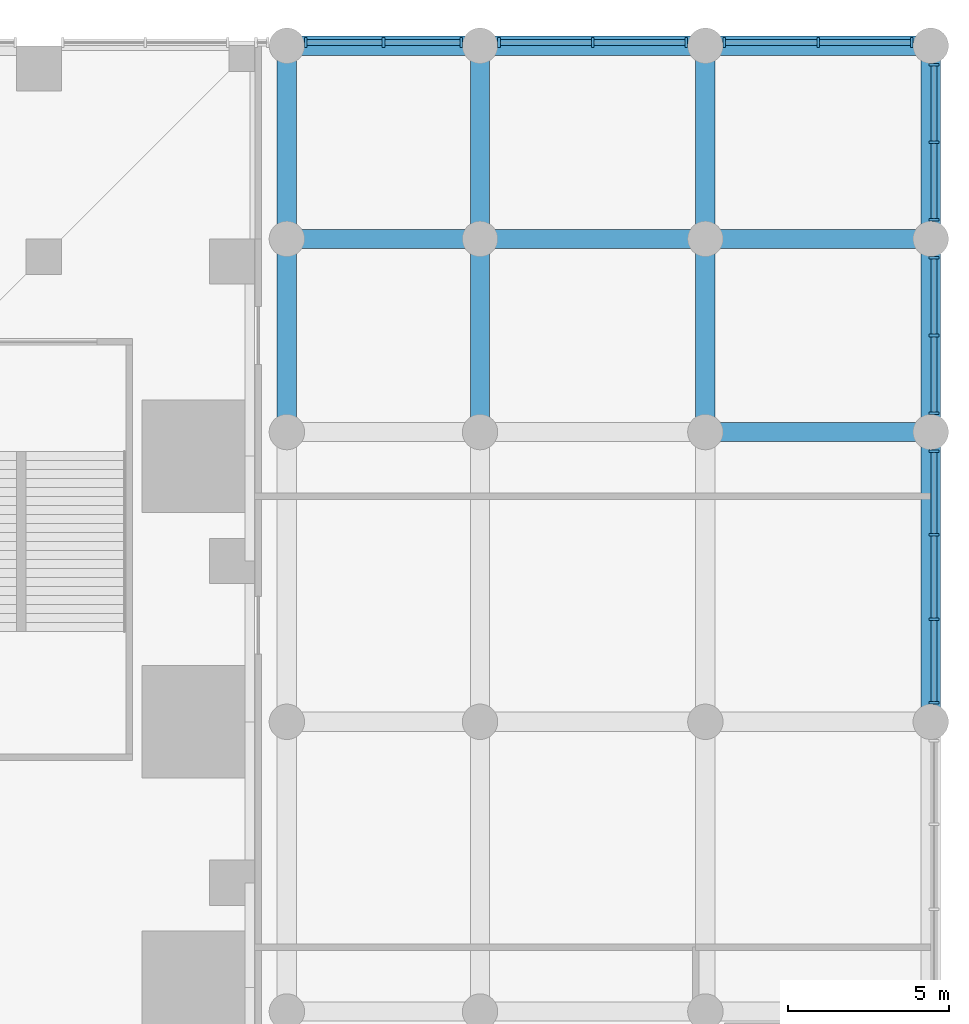
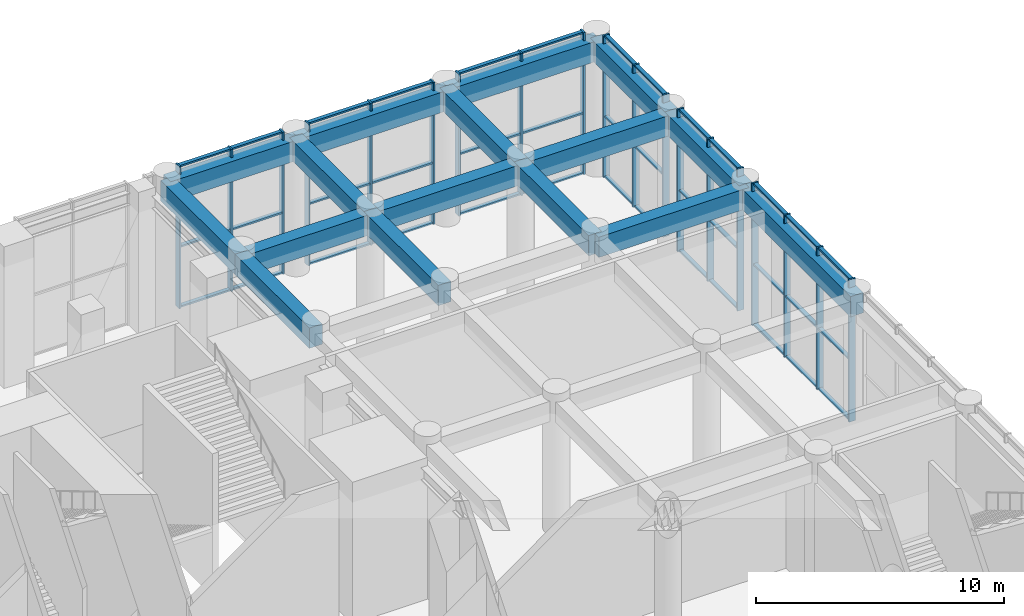
# One storey, part 13 of 30: 58 members, 16 beams, 6 elements without a shape of their own.
"""IFC4 building model written with IfcOpenShell, lengths in metres."""

import ifcopenshell
import ifcopenshell.guid

model = None  # the IFC model being written
_history = None  # IfcOwnerHistory: only IFC2X3 demands one
_inside = {}  # id of a spatial element -> (the spatial element, [elements in it])
_under = {}  # id of a project, library or spatial element -> (it, [spatial elements below it])
_declared = {}  # id of a project -> (the project, [libraries it declares])
_typed = {}  # id of a type object -> (the type object, [elements of that type])
_made_of = {}  # id of a material, layer set ... -> (it, [elements and type objects made of it])


def new_model(schema):
    """Start an empty IFC model of exactly this schema.

    Asked for "IFC4X3", IfcOpenShell would pick the latest addendum, in which some entities
    have other attributes; the version numbers below select the first issue.
    IFC2X3 requires an IfcOwnerHistory on every rooted entity: one is made here for all.
    """
    global model, _history
    if schema == "IFC4X3":
        model = ifcopenshell.file(schema_version=(4, 3, 0, 0))
    else:
        model = ifcopenshell.file(schema=schema)
    _inside.clear()
    _under.clear()
    _declared.clear()
    _typed.clear()
    _made_of.clear()
    _history = None
    if model.schema == "IFC2X3":
        org = make("IfcOrganization", Name="unknown")
        user = make(
            "IfcPersonAndOrganization",
            ThePerson=make("IfcPerson", FamilyName="unknown"),
            TheOrganization=org,
        )
        app = make(
            "IfcApplication",
            ApplicationDeveloper=org,
            Version="unknown",
            ApplicationFullName="unknown",
            ApplicationIdentifier="unknown",
        )
        _history = make(
            "IfcOwnerHistory",
            OwningUser=user,
            OwningApplication=app,
            ChangeAction="ADDED",
            CreationDate=0,
        )
    return model


def make(cls, **values):
    """One entity of the class cls with the attributes given. An attribute that is None is left unset."""
    return model.create_entity(
        cls, **{name: value for name, value in values.items() if value is not None}
    )


def rooted(cls, **values):
    """An entity with a GlobalId (a new one), such as an element, a storey or a relation."""
    return make(cls, GlobalId=ifcopenshell.guid.new(), OwnerHistory=_history, **values)


def si_unit(unit_type, name, prefix=None):
    """IfcSIUnit, for example si_unit("LENGTHUNIT", "METRE", prefix="MILLI")."""
    return make("IfcSIUnit", UnitType=unit_type, Prefix=prefix, Name=name)


def assignment(units):
    """IfcUnitAssignment: the units of a project."""
    return None if units is None else make("IfcUnitAssignment", Units=units)


def point(xyz):
    """IfcCartesianPoint."""
    return None if xyz is None else make("IfcCartesianPoint", Coordinates=xyz)


def direction(xyz):
    """IfcDirection."""
    return None if xyz is None else make("IfcDirection", DirectionRatios=xyz)


def frame(location, z_axis=None, x_axis=None):
    """IfcAxis2Placement3D, a coordinate frame: its origin and axes. An axis left out is left unset."""
    return make(
        "IfcAxis2Placement3D",
        Location=point(location),
        Axis=direction(z_axis),
        RefDirection=direction(x_axis),
    )


def frame_2d(location, x_axis=None):
    """IfcAxis2Placement2D, a coordinate frame in the plane: its origin and x axis."""
    return make(
        "IfcAxis2Placement2D", Location=point(location), RefDirection=direction(x_axis)
    )


def origin():
    """The frame at (0, 0, 0) with its axes left unset."""
    return frame((0.0, 0.0, 0.0))


def origin_2d():
    """The frame at (0, 0) in the plane with its x axis left unset."""
    return frame_2d((0.0, 0.0))


def place(relative_to, where):
    """IfcLocalPlacement: puts the frame where relative to a parent placement (None: the world)."""
    return make(
        "IfcLocalPlacement", PlacementRelTo=relative_to, RelativePlacement=where
    )


def context(
    kind, dimensions, precision=None, world=None, true_north=None, identifier=None
):
    """IfcGeometricRepresentationContext, for example the 3D "Model" context."""
    return make(
        "IfcGeometricRepresentationContext",
        ContextIdentifier=identifier,
        ContextType=kind,
        CoordinateSpaceDimension=dimensions,
        Precision=precision,
        WorldCoordinateSystem=world,
        TrueNorth=true_north,
    )


def subcontext(parent, identifier, kind, view, scale=None):
    """IfcGeometricRepresentationSubContext, for example "Body" below "Model"."""
    return make(
        "IfcGeometricRepresentationSubContext",
        ContextIdentifier=identifier,
        ContextType=kind,
        ParentContext=parent,
        TargetScale=scale,
        TargetView=view,
    )


def project(units=None, contexts=None):
    """IfcProject with its units and contexts."""
    return rooted(
        "IfcProject",
        Name="project",
        RepresentationContexts=contexts,
        UnitsInContext=assignment(units),
    )


def spatial(cls, under=None, at=None, **own):
    """A site, building, storey or space (cls), placed at a placement, below another one or the project."""
    s = rooted(cls, ObjectPlacement=at, **own)
    if under is not None:
        _under.setdefault(under.id(), (under, []))[1].append(s)
    return s


def profile(cls, at=None, kind="AREA", **sizes):
    """A parametric profile (cls). Its sizes go by their IFC names, for example OverallWidth=200.0."""
    return make(cls, ProfileType=kind, Position=at, **sizes)


def rectangle(**sizes):
    """IfcRectangleProfileDef."""
    return profile("IfcRectangleProfileDef", **sizes)


def extrude(swept, where, along, depth):
    """IfcExtrudedAreaSolid: the profile swept, set in the frame where, extruded along a direction by depth."""
    return make(
        "IfcExtrudedAreaSolid",
        SweptArea=swept,
        Position=where,
        ExtrudedDirection=direction(along),
        Depth=depth,
    )


def shape(context_of_items, identifier, shape_type, items):
    """IfcShapeRepresentation: the items that make up one representation, for example the "Body"."""
    return make(
        "IfcShapeRepresentation",
        ContextOfItems=context_of_items,
        RepresentationIdentifier=identifier,
        RepresentationType=shape_type,
        Items=items,
    )


def material(Name=None, Category=None):
    """IfcMaterial."""
    return make("IfcMaterial", Name=Name, Category=Category)


def material_profile(
    of_material, cross_section, Name=None, Category=None, Priority=None
):
    """IfcMaterialProfile: a cross section and its material."""
    return make(
        "IfcMaterialProfile",
        Name=Name,
        Material=of_material,
        Profile=cross_section,
        Priority=Priority,
        Category=Category,
    )


def profile_set(profiles, Name=None, composite=None):
    """IfcMaterialProfileSet."""
    return make(
        "IfcMaterialProfileSet",
        Name=Name,
        MaterialProfiles=profiles,
        CompositeProfile=composite,
    )


def made_of(thing, what):
    """Note that an element or type object is made of a material, layer set ...; save() writes the relation."""
    if what is not None:
        _made_of.setdefault(what.id(), (what, []))[1].append(thing)
    return thing


def type_object(cls, material=None, **own):
    """A type object (cls), such as IfcWallType, which elements share."""
    return made_of(rooted(cls, **own), material)


def element(
    cls,
    number,
    at=None,
    inside=None,
    cuts=None,
    type_object=None,
    material=None,
    context=None,
    identifier="Body",
    shape_type=None,
    held_by="IfcProductDefinitionShape",
    body=None,
    shapes=None,
    **own,
):
    """One element of the class cls, such as IfcWall. Its Tag is "e" and its number.

    at: its placement. inside: the storey or other place that contains it. cuts: it is an
    opening in that element (IfcRelVoidsElement). A single representation is given by context,
    identifier, shape_type and body (its items); several are given by shapes. held_by: the class
    of the entity that holds the representations. save() writes the other relations.
    """
    e = rooted(cls, Tag="e%d" % number, ObjectPlacement=at, **own)
    if body is not None:
        shapes = [shape(context, identifier, shape_type, body)]
    if shapes is not None:
        e.Representation = make(held_by, Representations=shapes)
    if inside is not None:
        _inside.setdefault(inside.id(), (inside, []))[1].append(e)
    if cuts is not None:
        rooted(
            "IfcRelVoidsElement", RelatingBuildingElement=cuts, RelatedOpeningElement=e
        )
    if type_object is not None:
        _typed.setdefault(type_object.id(), (type_object, []))[1].append(e)
    return made_of(e, material)


def aggregate(whole, parts):
    """IfcRelAggregates: a whole, such as a stair, and the parts it consists of."""
    return rooted("IfcRelAggregates", RelatingObject=whole, RelatedObjects=parts)


def save(model, path):
    """Write the relations noted so far, then the file.

    IfcRelAggregates (storeys below a building ...), IfcRelContainedInSpatialStructure (elements
    in a storey), IfcRelDefinesByType, IfcRelAssociatesMaterial and IfcRelDeclares: one each for
    every whole, place, type object, material and project.
    """
    for whole, parts in _under.values():
        aggregate(whole, parts)
    for where, things in _inside.values():
        rooted(
            "IfcRelContainedInSpatialStructure",
            RelatedElements=things,
            RelatingStructure=where,
        )
    for kind, things in _typed.values():
        rooted("IfcRelDefinesByType", RelatedObjects=things, RelatingType=kind)
    for what, things in _made_of.values():
        rooted("IfcRelAssociatesMaterial", RelatedObjects=things, RelatingMaterial=what)
    for by, libraries in _declared.values():
        rooted("IfcRelDeclares", RelatingContext=by, RelatedDefinitions=libraries)
    model.write(path)


model = new_model("IFC4")

# Units and contexts
model_context = context("Model", 3, precision=1e-05, world=origin(), true_north=direction((0.0, 1.0)))
body_context = subcontext(model_context, "Body", "Model", "MODEL_VIEW")
ifc_project = project(units=[si_unit("LENGTHUNIT", "METRE"), si_unit("AREAUNIT", "SQUARE_METRE"), si_unit("VOLUMEUNIT", "CUBIC_METRE"), si_unit("PLANEANGLEUNIT", "RADIAN"), si_unit("MASSUNIT", "GRAM", prefix="KILO")], contexts=[model_context])

# Site, building, storey
site_placement = place(None, origin())
site = spatial("IfcSite", under=ifc_project, at=site_placement, CompositionType="ELEMENT")
building_placement = place(site_placement, origin())
building = spatial("IfcBuilding", under=site, at=building_placement, Name="Svetlomir Tower", CompositionType="ELEMENT")
storey_placement = place(building_placement, frame((0.0, 0.0, 11.0)))
storey = spatial("IfcBuildingStorey", under=building, at=storey_placement, Name="L02", CompositionType="ELEMENT", Elevation=11.0)

# Curtain wall, members
ifc_material_1 = material(Name="Bronze anodised aluminium curtain wall", Category="aluminium")
curtain_wall_type = type_object("IfcCurtainWallType", Name="CURTAIN WALL CW5 PODIUM", PredefinedType="NOTDEFINED", material=ifc_material_1)
curtain_wall_1_placement = place(storey_placement, origin())
curtain_wall_1 = element("IfcCurtainWall", 1, at=curtain_wall_1_placement, inside=storey, type_object=curtain_wall_type, Name="Curtain wall CW5 L02", PredefinedType="NOTDEFINED")
ifc_material_2 = material(Name="Bronze anodised aluminium", Category="aluminium")
ifc_material_profile_1 = material_profile(ifc_material_2, rectangle(XDim=0.080078125, YDim=0.300048828125, at=origin_2d()), Name="AL 80x300")
ifc_profile_set_1 = profile_set([ifc_material_profile_1], Name="Bronze anodised aluminium 6063-T6")
member_type_1 = type_object("IfcMemberType", Name="CW5 MULLION 80x300", PredefinedType="MULLION", material=ifc_profile_set_1)
member_1_placement = place(storey_placement, frame((63.10009765625, 21.590087890625, 0.0), z_axis=(0.0, 0.0, 1.0), x_axis=(0.0, 1.0, 0.0)))
member_1 = element("IfcMember", 2, at=member_1_placement, type_object=member_type_1, Name="CW5 mullion 1", PredefinedType="MULLION", context=body_context, shape_type="SweptSolid", body=[
    extrude(rectangle(XDim=0.080078125, YDim=0.300048828125, at=origin_2d()), origin(), (0.0, 0.0, 1.0), 7.0),
])
member_2_placement = place(storey_placement, frame((63.10009765625, 24.183349609375, 0.0), z_axis=(0.0, 0.0, 1.0), x_axis=(0.0, 1.0, 0.0)))
member_2 = element("IfcMember", 3, at=member_2_placement, type_object=member_type_1, Name="CW5 mullion 2", PredefinedType="MULLION", context=body_context, shape_type="SweptSolid", body=[
    extrude(rectangle(XDim=0.080078125, YDim=0.300048828125, at=origin_2d()), origin(), (0.0, 0.0, 1.0), 7.0),
])
member_3_placement = place(storey_placement, frame((63.10009765625, 26.816650390625, 0.0), z_axis=(0.0, 0.0, 1.0), x_axis=(0.0, 1.0, 0.0)))
member_3 = element("IfcMember", 4, at=member_3_placement, type_object=member_type_1, Name="CW5 mullion 3", PredefinedType="MULLION", context=body_context, shape_type="SweptSolid", body=[
    extrude(rectangle(XDim=0.080078125, YDim=0.300048828125, at=origin_2d()), origin(), (0.0, 0.0, 1.0), 7.0),
])
member_4_placement = place(storey_placement, frame((63.10009765625, 29.409912109375, 0.0), z_axis=(0.0, 0.0, 1.0), x_axis=(0.0, 1.0, 0.0)))
member_4 = element("IfcMember", 5, at=member_4_placement, type_object=member_type_1, Name="CW5 mullion 4", PredefinedType="MULLION", context=body_context, shape_type="SweptSolid", body=[
    extrude(rectangle(XDim=0.080078125, YDim=0.300048828125, at=origin_2d()), origin(), (0.0, 0.0, 1.0), 7.0),
])

curtain_wall_2_placement = place(storey_placement, origin())
curtain_wall_2 = element("IfcCurtainWall", 6, at=curtain_wall_2_placement, inside=storey, type_object=curtain_wall_type, Name="Curtain wall CW5 L02", PredefinedType="NOTDEFINED")
member_5_placement = place(storey_placement, frame((63.10009765625, 30.590087890625, 0.0), z_axis=(0.0, 0.0, 1.0), x_axis=(0.0, 1.0, 0.0)))
member_5 = element("IfcMember", 7, at=member_5_placement, type_object=member_type_1, Name="CW5 mullion 1", PredefinedType="MULLION", context=body_context, shape_type="SweptSolid", body=[
    extrude(rectangle(XDim=0.080078125, YDim=0.300048828125, at=origin_2d()), origin(), (0.0, 0.0, 1.0), 7.0),
])
member_6_placement = place(storey_placement, frame((63.10009765625, 33.0, 0.0), z_axis=(0.0, 0.0, 1.0), x_axis=(0.0, 1.0, 0.0)))
member_6 = element("IfcMember", 8, at=member_6_placement, type_object=member_type_1, Name="CW5 mullion 2", PredefinedType="MULLION", context=body_context, shape_type="SweptSolid", body=[
    extrude(rectangle(XDim=0.080078125, YDim=0.300048828125, at=origin_2d()), origin(), (0.0, 0.0, 1.0), 7.0),
])
member_7_placement = place(storey_placement, frame((63.10009765625, 35.409912109375, 0.0), z_axis=(0.0, 0.0, 1.0), x_axis=(0.0, 1.0, 0.0)))
member_7 = element("IfcMember", 9, at=member_7_placement, type_object=member_type_1, Name="CW5 mullion 3", PredefinedType="MULLION", context=body_context, shape_type="SweptSolid", body=[
    extrude(rectangle(XDim=0.080078125, YDim=0.300048828125, at=origin_2d()), origin(), (0.0, 0.0, 1.0), 7.0),
])

curtain_wall_3_placement = place(storey_placement, origin())
curtain_wall_3 = element("IfcCurtainWall", 10, at=curtain_wall_3_placement, inside=storey, type_object=curtain_wall_type, Name="Curtain wall CW5 L02", PredefinedType="NOTDEFINED")
member_8_placement = place(storey_placement, frame((63.10009765625, 36.590087890625, 0.0), z_axis=(0.0, 0.0, 1.0), x_axis=(0.0, 1.0, 0.0)))
member_8 = element("IfcMember", 11, at=member_8_placement, type_object=member_type_1, Name="CW5 mullion 1", PredefinedType="MULLION", context=body_context, shape_type="SweptSolid", body=[
    extrude(rectangle(XDim=0.080078125, YDim=0.300048828125, at=origin_2d()), origin(), (0.0, 0.0, 1.0), 7.0),
])
member_9_placement = place(storey_placement, frame((63.10009765625, 39.0, 0.0), z_axis=(0.0, 0.0, 1.0), x_axis=(0.0, 1.0, 0.0)))
member_9 = element("IfcMember", 12, at=member_9_placement, type_object=member_type_1, Name="CW5 mullion 2", PredefinedType="MULLION", context=body_context, shape_type="SweptSolid", body=[
    extrude(rectangle(XDim=0.080078125, YDim=0.300048828125, at=origin_2d()), origin(), (0.0, 0.0, 1.0), 7.0),
])
member_10_placement = place(storey_placement, frame((63.10009765625, 41.409912109375, 0.0), z_axis=(0.0, 0.0, 1.0), x_axis=(0.0, 1.0, 0.0)))
member_10 = element("IfcMember", 13, at=member_10_placement, type_object=member_type_1, Name="CW5 mullion 3", PredefinedType="MULLION", context=body_context, shape_type="SweptSolid", body=[
    extrude(rectangle(XDim=0.080078125, YDim=0.300048828125, at=origin_2d()), origin(), (0.0, 0.0, 1.0), 7.0),
])

curtain_wall_4_placement = place(storey_placement, origin())
curtain_wall_4 = element("IfcCurtainWall", 14, at=curtain_wall_4_placement, inside=storey, type_object=curtain_wall_type, Name="Curtain wall CW5 L02", PredefinedType="NOTDEFINED")
member_11_placement = place(storey_placement, frame((62.409912109375, 42.10009765625, 0.0), z_axis=(0.0, 0.0, 1.0), x_axis=(-1.0, 0.0, 0.0)))
member_11 = element("IfcMember", 15, at=member_11_placement, type_object=member_type_1, Name="CW5 mullion 1", PredefinedType="MULLION", context=body_context, shape_type="SweptSolid", body=[
    extrude(rectangle(XDim=0.080078125, YDim=0.300048828125, at=origin_2d()), origin(), (0.0, 0.0, 1.0), 7.0),
])
member_12_placement = place(storey_placement, frame((59.5, 42.10009765625, 0.0), z_axis=(0.0, 0.0, 1.0), x_axis=(-1.0, 0.0, 0.0)))
member_12 = element("IfcMember", 16, at=member_12_placement, type_object=member_type_1, Name="CW5 mullion 2", PredefinedType="MULLION", context=body_context, shape_type="SweptSolid", body=[
    extrude(rectangle(XDim=0.080078125, YDim=0.300048828125, at=origin_2d()), origin(), (0.0, 0.0, 1.0), 7.0),
])
member_13_placement = place(storey_placement, frame((56.590087890625, 42.10009765625, 0.0), z_axis=(0.0, 0.0, 1.0), x_axis=(-1.0, 0.0, 0.0)))
member_13 = element("IfcMember", 17, at=member_13_placement, type_object=member_type_1, Name="CW5 mullion 3", PredefinedType="MULLION", context=body_context, shape_type="SweptSolid", body=[
    extrude(rectangle(XDim=0.080078125, YDim=0.300048828125, at=origin_2d()), origin(), (0.0, 0.0, 1.0), 7.0),
])

curtain_wall_5_placement = place(storey_placement, origin())
curtain_wall_5 = element("IfcCurtainWall", 18, at=curtain_wall_5_placement, inside=storey, type_object=curtain_wall_type, Name="Curtain wall CW5 L02", PredefinedType="NOTDEFINED")
member_14_placement = place(storey_placement, frame((55.409912109375, 42.10009765625, 0.0), z_axis=(0.0, 0.0, 1.0), x_axis=(-1.0, 0.0, 0.0)))
member_14 = element("IfcMember", 19, at=member_14_placement, type_object=member_type_1, Name="CW5 mullion 1", PredefinedType="MULLION", context=body_context, shape_type="SweptSolid", body=[
    extrude(rectangle(XDim=0.080078125, YDim=0.300048828125, at=origin_2d()), origin(), (0.0, 0.0, 1.0), 7.0),
])
member_15_placement = place(storey_placement, frame((52.5, 42.10009765625, 0.0), z_axis=(0.0, 0.0, 1.0), x_axis=(-1.0, 0.0, 0.0)))
member_15 = element("IfcMember", 20, at=member_15_placement, type_object=member_type_1, Name="CW5 mullion 2", PredefinedType="MULLION", context=body_context, shape_type="SweptSolid", body=[
    extrude(rectangle(XDim=0.080078125, YDim=0.300048828125, at=origin_2d()), origin(), (0.0, 0.0, 1.0), 7.0),
])
member_16_placement = place(storey_placement, frame((49.590087890625, 42.10009765625, 0.0), z_axis=(0.0, 0.0, 1.0), x_axis=(-1.0, 0.0, 0.0)))
member_16 = element("IfcMember", 21, at=member_16_placement, type_object=member_type_1, Name="CW5 mullion 3", PredefinedType="MULLION", context=body_context, shape_type="SweptSolid", body=[
    extrude(rectangle(XDim=0.080078125, YDim=0.300048828125, at=origin_2d()), origin(), (0.0, 0.0, 1.0), 7.0),
])

curtain_wall_6_placement = place(storey_placement, origin())
curtain_wall_6 = element("IfcCurtainWall", 22, at=curtain_wall_6_placement, inside=storey, type_object=curtain_wall_type, Name="Curtain wall CW5 L02", PredefinedType="NOTDEFINED")
member_17_placement = place(storey_placement, frame((48.409912109375, 42.10009765625, 0.0), z_axis=(0.0, 0.0, 1.0), x_axis=(-1.0, 0.0, 0.0)))
member_17 = element("IfcMember", 23, at=member_17_placement, type_object=member_type_1, Name="CW5 mullion 1", PredefinedType="MULLION", context=body_context, shape_type="SweptSolid", body=[
    extrude(rectangle(XDim=0.080078125, YDim=0.300048828125, at=origin_2d()), origin(), (0.0, 0.0, 1.0), 7.0),
])
member_18_placement = place(storey_placement, frame((46.0, 42.10009765625, 0.0), z_axis=(0.0, 0.0, 1.0), x_axis=(-1.0, 0.0, 0.0)))
member_18 = element("IfcMember", 24, at=member_18_placement, type_object=member_type_1, Name="CW5 mullion 2", PredefinedType="MULLION", context=body_context, shape_type="SweptSolid", body=[
    extrude(rectangle(XDim=0.080078125, YDim=0.300048828125, at=origin_2d()), origin(), (0.0, 0.0, 1.0), 7.0),
])
member_19_placement = place(storey_placement, frame((43.590087890625, 42.10009765625, 0.0), z_axis=(0.0, 0.0, 1.0), x_axis=(-1.0, 0.0, 0.0)))
member_19 = element("IfcMember", 25, at=member_19_placement, type_object=member_type_1, Name="CW5 mullion 3", PredefinedType="MULLION", context=body_context, shape_type="SweptSolid", body=[
    extrude(rectangle(XDim=0.080078125, YDim=0.300048828125, at=origin_2d()), origin(), (0.0, 0.0, 1.0), 7.0),
])

# Member
ifc_material_3 = material(Name="Bronze anodised aluminium", Category="aluminium")
ifc_material_profile_2 = material_profile(ifc_material_3, rectangle(XDim=0.179931640625, YDim=0.080078125, at=origin_2d()), Name="AL 180x80")
ifc_profile_set_2 = profile_set([ifc_material_profile_2], Name="Bronze anodised aluminium 6063-T6")
member_type_2 = type_object("IfcMemberType", Name="CW5 TRANSOM 80x180", PredefinedType="USERDEFINED", material=ifc_profile_set_2)
member_20_placement = place(storey_placement, frame((63.10009765625, 21.6298828125, 0.0400390625), z_axis=(0.0, 1.0, 0.0), x_axis=(-1.0, 0.0, 0.0)))
member_20 = element("IfcMember", 26, at=member_20_placement, type_object=member_type_2, Name="CW5 transom 1.1", ObjectType="TRANSOM", PredefinedType="USERDEFINED", context=body_context, shape_type="SweptSolid", body=[
    extrude(rectangle(XDim=0.179931640625, YDim=0.080078125, at=origin_2d()), origin(), (0.0, 0.0, 1.0), 2.513427734375),
])

member_21_placement = place(storey_placement, frame((63.10009765625, 21.6298828125, 3.0), z_axis=(0.0, 1.0, 0.0), x_axis=(-1.0, 0.0, 0.0)))
member_21 = element("IfcMember", 27, at=member_21_placement, type_object=member_type_2, Name="CW5 transom 1.2", ObjectType="TRANSOM", PredefinedType="USERDEFINED", context=body_context, shape_type="SweptSolid", body=[
    extrude(rectangle(XDim=0.179931640625, YDim=0.080078125, at=origin_2d()), origin(), (0.0, 0.0, 1.0), 2.513427734375),
])

member_22_placement = place(storey_placement, frame((63.10009765625, 21.6298828125, 6.9599609375), z_axis=(0.0, 1.0, 0.0), x_axis=(-1.0, 0.0, 0.0)))
member_22 = element("IfcMember", 28, at=member_22_placement, type_object=member_type_2, Name="CW5 transom 1.3", ObjectType="TRANSOM", PredefinedType="USERDEFINED", context=body_context, shape_type="SweptSolid", body=[
    extrude(rectangle(XDim=0.179931640625, YDim=0.080078125, at=origin_2d()), origin(), (0.0, 0.0, 1.0), 2.513427734375),
])

member_23_placement = place(storey_placement, frame((63.10009765625, 24.223388671875, 0.0400390625), z_axis=(0.0, 1.0, 0.0), x_axis=(-1.0, 0.0, 0.0)))
member_23 = element("IfcMember", 29, at=member_23_placement, type_object=member_type_2, Name="CW5 transom 2.1", ObjectType="TRANSOM", PredefinedType="USERDEFINED", context=body_context, shape_type="SweptSolid", body=[
    extrude(rectangle(XDim=0.179931640625, YDim=0.080078125, at=origin_2d()), origin(), (0.0, 0.0, 1.0), 2.55322265625),
])

member_24_placement = place(storey_placement, frame((63.10009765625, 24.223388671875, 3.0), z_axis=(0.0, 1.0, 0.0), x_axis=(-1.0, 0.0, 0.0)))
member_24 = element("IfcMember", 30, at=member_24_placement, type_object=member_type_2, Name="CW5 transom 2.2", ObjectType="TRANSOM", PredefinedType="USERDEFINED", context=body_context, shape_type="SweptSolid", body=[
    extrude(rectangle(XDim=0.179931640625, YDim=0.080078125, at=origin_2d()), origin(), (0.0, 0.0, 1.0), 2.55322265625),
])

member_25_placement = place(storey_placement, frame((63.10009765625, 24.223388671875, 6.9599609375), z_axis=(0.0, 1.0, 0.0), x_axis=(-1.0, 0.0, 0.0)))
member_25 = element("IfcMember", 31, at=member_25_placement, type_object=member_type_2, Name="CW5 transom 2.3", ObjectType="TRANSOM", PredefinedType="USERDEFINED", context=body_context, shape_type="SweptSolid", body=[
    extrude(rectangle(XDim=0.179931640625, YDim=0.080078125, at=origin_2d()), origin(), (0.0, 0.0, 1.0), 2.55322265625),
])

member_26_placement = place(storey_placement, frame((63.10009765625, 26.856689453125, 0.0400390625), z_axis=(0.0, 1.0, 0.0), x_axis=(-1.0, 0.0, 0.0)))
member_26 = element("IfcMember", 32, at=member_26_placement, type_object=member_type_2, Name="CW5 transom 3.1", ObjectType="TRANSOM", PredefinedType="USERDEFINED", context=body_context, shape_type="SweptSolid", body=[
    extrude(rectangle(XDim=0.179931640625, YDim=0.080078125, at=origin_2d()), origin(), (0.0, 0.0, 1.0), 2.513427734375),
])

member_27_placement = place(storey_placement, frame((63.10009765625, 26.856689453125, 3.0), z_axis=(0.0, 1.0, 0.0), x_axis=(-1.0, 0.0, 0.0)))
member_27 = element("IfcMember", 33, at=member_27_placement, type_object=member_type_2, Name="CW5 transom 3.2", ObjectType="TRANSOM", PredefinedType="USERDEFINED", context=body_context, shape_type="SweptSolid", body=[
    extrude(rectangle(XDim=0.179931640625, YDim=0.080078125, at=origin_2d()), origin(), (0.0, 0.0, 1.0), 2.513427734375),
])

member_28_placement = place(storey_placement, frame((63.10009765625, 26.856689453125, 6.9599609375), z_axis=(0.0, 1.0, 0.0), x_axis=(-1.0, 0.0, 0.0)))
member_28 = element("IfcMember", 34, at=member_28_placement, type_object=member_type_2, Name="CW5 transom 3.3", ObjectType="TRANSOM", PredefinedType="USERDEFINED", context=body_context, shape_type="SweptSolid", body=[
    extrude(rectangle(XDim=0.179931640625, YDim=0.080078125, at=origin_2d()), origin(), (0.0, 0.0, 1.0), 2.513427734375),
])

aggregate(curtain_wall_1, [member_1, member_2, member_3, member_4, member_20, member_21, member_22, member_23, member_24, member_25, member_26, member_27, member_28])

member_29_placement = place(storey_placement, frame((63.10009765625, 30.6298828125, 0.0400390625), z_axis=(0.0, 1.0, 0.0), x_axis=(-1.0, 0.0, 0.0)))
member_29 = element("IfcMember", 35, at=member_29_placement, type_object=member_type_2, Name="CW5 transom 1.1", ObjectType="TRANSOM", PredefinedType="USERDEFINED", context=body_context, shape_type="SweptSolid", body=[
    extrude(rectangle(XDim=0.179931640625, YDim=0.080078125, at=origin_2d()), origin(), (0.0, 0.0, 1.0), 2.330078125),
])

member_30_placement = place(storey_placement, frame((63.10009765625, 30.6298828125, 3.0), z_axis=(0.0, 1.0, 0.0), x_axis=(-1.0, 0.0, 0.0)))
member_30 = element("IfcMember", 36, at=member_30_placement, type_object=member_type_2, Name="CW5 transom 1.2", ObjectType="TRANSOM", PredefinedType="USERDEFINED", context=body_context, shape_type="SweptSolid", body=[
    extrude(rectangle(XDim=0.179931640625, YDim=0.080078125, at=origin_2d()), origin(), (0.0, 0.0, 1.0), 2.330078125),
])

member_31_placement = place(storey_placement, frame((63.10009765625, 30.6298828125, 6.9599609375), z_axis=(0.0, 1.0, 0.0), x_axis=(-1.0, 0.0, 0.0)))
member_31 = element("IfcMember", 37, at=member_31_placement, type_object=member_type_2, Name="CW5 transom 1.3", ObjectType="TRANSOM", PredefinedType="USERDEFINED", context=body_context, shape_type="SweptSolid", body=[
    extrude(rectangle(XDim=0.179931640625, YDim=0.080078125, at=origin_2d()), origin(), (0.0, 0.0, 1.0), 2.330078125),
])

member_32_placement = place(storey_placement, frame((63.10009765625, 33.0400390625, 0.0400390625), z_axis=(0.0, 1.0, 0.0), x_axis=(-1.0, 0.0, 0.0)))
member_32 = element("IfcMember", 38, at=member_32_placement, type_object=member_type_2, Name="CW5 transom 2.1", ObjectType="TRANSOM", PredefinedType="USERDEFINED", context=body_context, shape_type="SweptSolid", body=[
    extrude(rectangle(XDim=0.179931640625, YDim=0.080078125, at=origin_2d()), origin(), (0.0, 0.0, 1.0), 2.330078125),
])

member_33_placement = place(storey_placement, frame((63.10009765625, 33.0400390625, 3.0), z_axis=(0.0, 1.0, 0.0), x_axis=(-1.0, 0.0, 0.0)))
member_33 = element("IfcMember", 39, at=member_33_placement, type_object=member_type_2, Name="CW5 transom 2.2", ObjectType="TRANSOM", PredefinedType="USERDEFINED", context=body_context, shape_type="SweptSolid", body=[
    extrude(rectangle(XDim=0.179931640625, YDim=0.080078125, at=origin_2d()), origin(), (0.0, 0.0, 1.0), 2.330078125),
])

member_34_placement = place(storey_placement, frame((63.10009765625, 33.0400390625, 6.9599609375), z_axis=(0.0, 1.0, 0.0), x_axis=(-1.0, 0.0, 0.0)))
member_34 = element("IfcMember", 40, at=member_34_placement, type_object=member_type_2, Name="CW5 transom 2.3", ObjectType="TRANSOM", PredefinedType="USERDEFINED", context=body_context, shape_type="SweptSolid", body=[
    extrude(rectangle(XDim=0.179931640625, YDim=0.080078125, at=origin_2d()), origin(), (0.0, 0.0, 1.0), 2.330078125),
])

aggregate(curtain_wall_2, [member_5, member_6, member_7, member_29, member_30, member_31, member_32, member_33, member_34])

member_35_placement = place(storey_placement, frame((63.10009765625, 36.6298828125, 0.0400390625), z_axis=(0.0, 1.0, 0.0), x_axis=(-1.0, 0.0, 0.0)))
member_35 = element("IfcMember", 41, at=member_35_placement, type_object=member_type_2, Name="CW5 transom 1.1", ObjectType="TRANSOM", PredefinedType="USERDEFINED", context=body_context, shape_type="SweptSolid", body=[
    extrude(rectangle(XDim=0.179931640625, YDim=0.080078125, at=origin_2d()), origin(), (0.0, 0.0, 1.0), 2.330078125),
])

member_36_placement = place(storey_placement, frame((63.10009765625, 36.6298828125, 3.0), z_axis=(0.0, 1.0, 0.0), x_axis=(-1.0, 0.0, 0.0)))
member_36 = element("IfcMember", 42, at=member_36_placement, type_object=member_type_2, Name="CW5 transom 1.2", ObjectType="TRANSOM", PredefinedType="USERDEFINED", context=body_context, shape_type="SweptSolid", body=[
    extrude(rectangle(XDim=0.179931640625, YDim=0.080078125, at=origin_2d()), origin(), (0.0, 0.0, 1.0), 2.330078125),
])

member_37_placement = place(storey_placement, frame((63.10009765625, 36.6298828125, 6.9599609375), z_axis=(0.0, 1.0, 0.0), x_axis=(-1.0, 0.0, 0.0)))
member_37 = element("IfcMember", 43, at=member_37_placement, type_object=member_type_2, Name="CW5 transom 1.3", ObjectType="TRANSOM", PredefinedType="USERDEFINED", context=body_context, shape_type="SweptSolid", body=[
    extrude(rectangle(XDim=0.179931640625, YDim=0.080078125, at=origin_2d()), origin(), (0.0, 0.0, 1.0), 2.330078125),
])

member_38_placement = place(storey_placement, frame((63.10009765625, 39.0400390625, 0.0400390625), z_axis=(0.0, 1.0, 0.0), x_axis=(-1.0, 0.0, 0.0)))
member_38 = element("IfcMember", 44, at=member_38_placement, type_object=member_type_2, Name="CW5 transom 2.1", ObjectType="TRANSOM", PredefinedType="USERDEFINED", context=body_context, shape_type="SweptSolid", body=[
    extrude(rectangle(XDim=0.179931640625, YDim=0.080078125, at=origin_2d()), origin(), (0.0, 0.0, 1.0), 2.330078125),
])

member_39_placement = place(storey_placement, frame((63.10009765625, 39.0400390625, 3.0), z_axis=(0.0, 1.0, 0.0), x_axis=(-1.0, 0.0, 0.0)))
member_39 = element("IfcMember", 45, at=member_39_placement, type_object=member_type_2, Name="CW5 transom 2.2", ObjectType="TRANSOM", PredefinedType="USERDEFINED", context=body_context, shape_type="SweptSolid", body=[
    extrude(rectangle(XDim=0.179931640625, YDim=0.080078125, at=origin_2d()), origin(), (0.0, 0.0, 1.0), 2.330078125),
])

member_40_placement = place(storey_placement, frame((63.10009765625, 39.0400390625, 6.9599609375), z_axis=(0.0, 1.0, 0.0), x_axis=(-1.0, 0.0, 0.0)))
member_40 = element("IfcMember", 46, at=member_40_placement, type_object=member_type_2, Name="CW5 transom 2.3", ObjectType="TRANSOM", PredefinedType="USERDEFINED", context=body_context, shape_type="SweptSolid", body=[
    extrude(rectangle(XDim=0.179931640625, YDim=0.080078125, at=origin_2d()), origin(), (0.0, 0.0, 1.0), 2.330078125),
])

aggregate(curtain_wall_3, [member_8, member_9, member_10, member_35, member_36, member_37, member_38, member_39, member_40])

member_41_placement = place(storey_placement, frame((62.3701171875, 42.10009765625, 0.0400390625), z_axis=(-1.0, 0.0, 0.0), x_axis=(0.0, -1.0, 0.0)))
member_41 = element("IfcMember", 47, at=member_41_placement, type_object=member_type_2, Name="CW5 transom 1.1", ObjectType="TRANSOM", PredefinedType="USERDEFINED", context=body_context, shape_type="SweptSolid", body=[
    extrude(rectangle(XDim=0.179931640625, YDim=0.080078125, at=origin_2d()), origin(), (0.0, 0.0, 1.0), 2.830078125),
])

member_42_placement = place(storey_placement, frame((62.3701171875, 42.10009765625, 3.0), z_axis=(-1.0, 0.0, 0.0), x_axis=(0.0, -1.0, 0.0)))
member_42 = element("IfcMember", 48, at=member_42_placement, type_object=member_type_2, Name="CW5 transom 1.2", ObjectType="TRANSOM", PredefinedType="USERDEFINED", context=body_context, shape_type="SweptSolid", body=[
    extrude(rectangle(XDim=0.179931640625, YDim=0.080078125, at=origin_2d()), origin(), (0.0, 0.0, 1.0), 2.830078125),
])

member_43_placement = place(storey_placement, frame((62.3701171875, 42.10009765625, 6.9599609375), z_axis=(-1.0, 0.0, 0.0), x_axis=(0.0, -1.0, 0.0)))
member_43 = element("IfcMember", 49, at=member_43_placement, type_object=member_type_2, Name="CW5 transom 1.3", ObjectType="TRANSOM", PredefinedType="USERDEFINED", context=body_context, shape_type="SweptSolid", body=[
    extrude(rectangle(XDim=0.179931640625, YDim=0.080078125, at=origin_2d()), origin(), (0.0, 0.0, 1.0), 2.830078125),
])

member_44_placement = place(storey_placement, frame((59.4599609375, 42.10009765625, 0.0400390625), z_axis=(-1.0, 0.0, 0.0), x_axis=(0.0, -1.0, 0.0)))
member_44 = element("IfcMember", 50, at=member_44_placement, type_object=member_type_2, Name="CW5 transom 2.1", ObjectType="TRANSOM", PredefinedType="USERDEFINED", context=body_context, shape_type="SweptSolid", body=[
    extrude(rectangle(XDim=0.179931640625, YDim=0.080078125, at=origin_2d()), origin(), (0.0, 0.0, 1.0), 2.830078125),
])

member_45_placement = place(storey_placement, frame((59.4599609375, 42.10009765625, 3.0), z_axis=(-1.0, 0.0, 0.0), x_axis=(0.0, -1.0, 0.0)))
member_45 = element("IfcMember", 51, at=member_45_placement, type_object=member_type_2, Name="CW5 transom 2.2", ObjectType="TRANSOM", PredefinedType="USERDEFINED", context=body_context, shape_type="SweptSolid", body=[
    extrude(rectangle(XDim=0.179931640625, YDim=0.080078125, at=origin_2d()), origin(), (0.0, 0.0, 1.0), 2.830078125),
])

member_46_placement = place(storey_placement, frame((59.4599609375, 42.10009765625, 6.9599609375), z_axis=(-1.0, 0.0, 0.0), x_axis=(0.0, -1.0, 0.0)))
member_46 = element("IfcMember", 52, at=member_46_placement, type_object=member_type_2, Name="CW5 transom 2.3", ObjectType="TRANSOM", PredefinedType="USERDEFINED", context=body_context, shape_type="SweptSolid", body=[
    extrude(rectangle(XDim=0.179931640625, YDim=0.080078125, at=origin_2d()), origin(), (0.0, 0.0, 1.0), 2.830078125),
])

aggregate(curtain_wall_4, [member_11, member_12, member_13, member_41, member_42, member_43, member_44, member_45, member_46])

member_47_placement = place(storey_placement, frame((55.3701171875, 42.10009765625, 0.0400390625), z_axis=(-1.0, 0.0, 0.0), x_axis=(0.0, -1.0, 0.0)))
member_47 = element("IfcMember", 53, at=member_47_placement, type_object=member_type_2, Name="CW5 transom 1.1", ObjectType="TRANSOM", PredefinedType="USERDEFINED", context=body_context, shape_type="SweptSolid", body=[
    extrude(rectangle(XDim=0.179931640625, YDim=0.080078125, at=origin_2d()), origin(), (0.0, 0.0, 1.0), 2.830078125),
])

member_48_placement = place(storey_placement, frame((55.3701171875, 42.10009765625, 3.0), z_axis=(-1.0, 0.0, 0.0), x_axis=(0.0, -1.0, 0.0)))
member_48 = element("IfcMember", 54, at=member_48_placement, type_object=member_type_2, Name="CW5 transom 1.2", ObjectType="TRANSOM", PredefinedType="USERDEFINED", context=body_context, shape_type="SweptSolid", body=[
    extrude(rectangle(XDim=0.179931640625, YDim=0.080078125, at=origin_2d()), origin(), (0.0, 0.0, 1.0), 2.830078125),
])

member_49_placement = place(storey_placement, frame((55.3701171875, 42.10009765625, 6.9599609375), z_axis=(-1.0, 0.0, 0.0), x_axis=(0.0, -1.0, 0.0)))
member_49 = element("IfcMember", 55, at=member_49_placement, type_object=member_type_2, Name="CW5 transom 1.3", ObjectType="TRANSOM", PredefinedType="USERDEFINED", context=body_context, shape_type="SweptSolid", body=[
    extrude(rectangle(XDim=0.179931640625, YDim=0.080078125, at=origin_2d()), origin(), (0.0, 0.0, 1.0), 2.830078125),
])

member_50_placement = place(storey_placement, frame((52.4599609375, 42.10009765625, 0.0400390625), z_axis=(-1.0, 0.0, 0.0), x_axis=(0.0, -1.0, 0.0)))
member_50 = element("IfcMember", 56, at=member_50_placement, type_object=member_type_2, Name="CW5 transom 2.1", ObjectType="TRANSOM", PredefinedType="USERDEFINED", context=body_context, shape_type="SweptSolid", body=[
    extrude(rectangle(XDim=0.179931640625, YDim=0.080078125, at=origin_2d()), origin(), (0.0, 0.0, 1.0), 2.830078125),
])

member_51_placement = place(storey_placement, frame((52.4599609375, 42.10009765625, 3.0), z_axis=(-1.0, 0.0, 0.0), x_axis=(0.0, -1.0, 0.0)))
member_51 = element("IfcMember", 57, at=member_51_placement, type_object=member_type_2, Name="CW5 transom 2.2", ObjectType="TRANSOM", PredefinedType="USERDEFINED", context=body_context, shape_type="SweptSolid", body=[
    extrude(rectangle(XDim=0.179931640625, YDim=0.080078125, at=origin_2d()), origin(), (0.0, 0.0, 1.0), 2.830078125),
])

member_52_placement = place(storey_placement, frame((52.4599609375, 42.10009765625, 6.9599609375), z_axis=(-1.0, 0.0, 0.0), x_axis=(0.0, -1.0, 0.0)))
member_52 = element("IfcMember", 58, at=member_52_placement, type_object=member_type_2, Name="CW5 transom 2.3", ObjectType="TRANSOM", PredefinedType="USERDEFINED", context=body_context, shape_type="SweptSolid", body=[
    extrude(rectangle(XDim=0.179931640625, YDim=0.080078125, at=origin_2d()), origin(), (0.0, 0.0, 1.0), 2.830078125),
])

aggregate(curtain_wall_5, [member_14, member_15, member_16, member_47, member_48, member_49, member_50, member_51, member_52])

member_53_placement = place(storey_placement, frame((48.3701171875, 42.10009765625, 0.0400390625), z_axis=(-1.0, 0.0, 0.0), x_axis=(0.0, -1.0, 0.0)))
member_53 = element("IfcMember", 59, at=member_53_placement, type_object=member_type_2, Name="CW5 transom 1.1", ObjectType="TRANSOM", PredefinedType="USERDEFINED", context=body_context, shape_type="SweptSolid", body=[
    extrude(rectangle(XDim=0.179931640625, YDim=0.080078125, at=origin_2d()), origin(), (0.0, 0.0, 1.0), 2.330078125),
])

member_54_placement = place(storey_placement, frame((48.3701171875, 42.10009765625, 3.0), z_axis=(-1.0, 0.0, 0.0), x_axis=(0.0, -1.0, 0.0)))
member_54 = element("IfcMember", 60, at=member_54_placement, type_object=member_type_2, Name="CW5 transom 1.2", ObjectType="TRANSOM", PredefinedType="USERDEFINED", context=body_context, shape_type="SweptSolid", body=[
    extrude(rectangle(XDim=0.179931640625, YDim=0.080078125, at=origin_2d()), origin(), (0.0, 0.0, 1.0), 2.330078125),
])

member_55_placement = place(storey_placement, frame((48.3701171875, 42.10009765625, 6.9599609375), z_axis=(-1.0, 0.0, 0.0), x_axis=(0.0, -1.0, 0.0)))
member_55 = element("IfcMember", 61, at=member_55_placement, type_object=member_type_2, Name="CW5 transom 1.3", ObjectType="TRANSOM", PredefinedType="USERDEFINED", context=body_context, shape_type="SweptSolid", body=[
    extrude(rectangle(XDim=0.179931640625, YDim=0.080078125, at=origin_2d()), origin(), (0.0, 0.0, 1.0), 2.330078125),
])

member_56_placement = place(storey_placement, frame((45.9599609375, 42.10009765625, 0.0400390625), z_axis=(-1.0, 0.0, 0.0), x_axis=(0.0, -1.0, 0.0)))
member_56 = element("IfcMember", 62, at=member_56_placement, type_object=member_type_2, Name="CW5 transom 2.1", ObjectType="TRANSOM", PredefinedType="USERDEFINED", context=body_context, shape_type="SweptSolid", body=[
    extrude(rectangle(XDim=0.179931640625, YDim=0.080078125, at=origin_2d()), origin(), (0.0, 0.0, 1.0), 2.330078125),
])

member_57_placement = place(storey_placement, frame((45.9599609375, 42.10009765625, 3.0), z_axis=(-1.0, 0.0, 0.0), x_axis=(0.0, -1.0, 0.0)))
member_57 = element("IfcMember", 63, at=member_57_placement, type_object=member_type_2, Name="CW5 transom 2.2", ObjectType="TRANSOM", PredefinedType="USERDEFINED", context=body_context, shape_type="SweptSolid", body=[
    extrude(rectangle(XDim=0.179931640625, YDim=0.080078125, at=origin_2d()), origin(), (0.0, 0.0, 1.0), 2.330078125),
])

member_58_placement = place(storey_placement, frame((45.9599609375, 42.10009765625, 6.9599609375), z_axis=(-1.0, 0.0, 0.0), x_axis=(0.0, -1.0, 0.0)))
member_58 = element("IfcMember", 64, at=member_58_placement, type_object=member_type_2, Name="CW5 transom 2.3", ObjectType="TRANSOM", PredefinedType="USERDEFINED", context=body_context, shape_type="SweptSolid", body=[
    extrude(rectangle(XDim=0.179931640625, YDim=0.080078125, at=origin_2d()), origin(), (0.0, 0.0, 1.0), 2.330078125),
])

aggregate(curtain_wall_6, [member_17, member_18, member_19, member_53, member_54, member_55, member_56, member_57, member_58])

# Beams
ifc_material_4 = material(Name="Concrete C60/75", Category="concrete")
ifc_material_profile_3 = material_profile(ifc_material_4, rectangle(XDim=0.60009765625, YDim=1.0, at=origin_2d()), Name="RC 600x1000")
ifc_profile_set_3 = profile_set([ifc_material_profile_3], Name="Concrete C60/75")
beam_type = type_object("IfcBeamType", Name="PODIUM BEAM RC 600x1000", PredefinedType="BEAM", material=ifc_profile_set_3)
for number, where, z_axis, x_axis, name in (
    (65, (43.0, 30.0, 6.10009765625), (0.0, 1.0, 0.0), (-1.0, 0.0, 0.0), "Podium beam 43/30 to 43/36 under L03"),
    (66, (43.0, 36.0, 6.10009765625), (0.0, 1.0, 0.0), (-1.0, 0.0, 0.0), "Podium beam 43/36 to 43/42 under L03"),
    (67, (43.0, 36.0, 6.10009765625), (1.0, 0.0, 0.0), (0.0, 1.0, 0.0), "Podium beam 43/36 to 49/36 under L03"),
    (68, (43.0, 42.0, 6.10009765625), (1.0, 0.0, 0.0), (0.0, 1.0, 0.0), "Podium beam 43/42 to 49/42 under L03"),
    (69, (49.0, 30.0, 6.10009765625), (0.0, 1.0, 0.0), (-1.0, 0.0, 0.0), "Podium beam 49/30 to 49/36 under L03"),
    (70, (49.0, 36.0, 6.10009765625), (0.0, 1.0, 0.0), (-1.0, 0.0, 0.0), "Podium beam 49/36 to 49/42 under L03"),
):
    element("IfcBeam", number, at=place(storey_placement, frame(where, z_axis=z_axis, x_axis=x_axis)), inside=storey, type_object=beam_type, Name=name, PredefinedType="BEAM", context=body_context, shape_type="SweptSolid", body=[
        extrude(rectangle(XDim=0.60009765625, YDim=1.0, at=origin_2d()), origin(), (0.0, 0.0, 1.0), 6.0),
    ])
for number, where, z_axis, x_axis, name in (
    (71, (49.0, 36.0, 6.10009765625), (1.0, 0.0, 0.0), (0.0, 1.0, 0.0), "Podium beam 49/36 to 56/36 under L03"),
    (72, (49.0, 42.0, 6.10009765625), (1.0, 0.0, 0.0), (0.0, 1.0, 0.0), "Podium beam 49/42 to 56/42 under L03"),
):
    element("IfcBeam", number, at=place(storey_placement, frame(where, z_axis=z_axis, x_axis=x_axis)), inside=storey, type_object=beam_type, Name=name, PredefinedType="BEAM", context=body_context, shape_type="SweptSolid", body=[
        extrude(rectangle(XDim=0.60009765625, YDim=1.0, at=origin_2d()), origin(), (0.0, 0.0, 1.0), 7.0),
    ])
beam_1_placement = place(storey_placement, frame((56.0, 30.0, 6.10009765625), z_axis=(0.0, 1.0, 0.0), x_axis=(-1.0, 0.0, 0.0)))
element("IfcBeam", 73, at=beam_1_placement, inside=storey, type_object=beam_type, Name="Podium beam 56/30 to 56/36 under L03", PredefinedType="BEAM", context=body_context, shape_type="SweptSolid", body=[
    extrude(rectangle(XDim=0.60009765625, YDim=1.0, at=origin_2d()), origin(), (0.0, 0.0, 1.0), 6.0),
])
beam_2_placement = place(storey_placement, frame((56.0, 30.0, 6.10009765625), z_axis=(1.0, 0.0, 0.0), x_axis=(0.0, 1.0, 0.0)))
element("IfcBeam", 74, at=beam_2_placement, inside=storey, type_object=beam_type, Name="Podium beam 56/30 to 63/30 under L03", PredefinedType="BEAM", context=body_context, shape_type="SweptSolid", body=[
    extrude(rectangle(XDim=0.60009765625, YDim=1.0, at=origin_2d()), origin(), (0.0, 0.0, 1.0), 7.0),
])
beam_3_placement = place(storey_placement, frame((56.0, 36.0, 6.10009765625), z_axis=(0.0, 1.0, 0.0), x_axis=(-1.0, 0.0, 0.0)))
element("IfcBeam", 75, at=beam_3_placement, inside=storey, type_object=beam_type, Name="Podium beam 56/36 to 56/42 under L03", PredefinedType="BEAM", context=body_context, shape_type="SweptSolid", body=[
    extrude(rectangle(XDim=0.60009765625, YDim=1.0, at=origin_2d()), origin(), (0.0, 0.0, 1.0), 6.0),
])
for number, where, z_axis, x_axis, name in (
    (76, (56.0, 36.0, 6.10009765625), (1.0, 0.0, 0.0), (0.0, 1.0, 0.0), "Podium beam 56/36 to 63/36 under L03"),
    (77, (56.0, 42.0, 6.10009765625), (1.0, 0.0, 0.0), (0.0, 1.0, 0.0), "Podium beam 56/42 to 63/42 under L03"),
):
    element("IfcBeam", number, at=place(storey_placement, frame(where, z_axis=z_axis, x_axis=x_axis)), inside=storey, type_object=beam_type, Name=name, PredefinedType="BEAM", context=body_context, shape_type="SweptSolid", body=[
        extrude(rectangle(XDim=0.60009765625, YDim=1.0, at=origin_2d()), origin(), (0.0, 0.0, 1.0), 7.0),
    ])
beam_4_placement = place(storey_placement, frame((63.0, 21.0, 6.10009765625), z_axis=(0.0, 1.0, 0.0), x_axis=(-1.0, 0.0, 0.0)))
element("IfcBeam", 78, at=beam_4_placement, inside=storey, type_object=beam_type, Name="Podium beam 63/21 to 63/30 under L03", PredefinedType="BEAM", context=body_context, shape_type="SweptSolid", body=[
    extrude(rectangle(XDim=0.60009765625, YDim=1.0, at=origin_2d()), origin(), (0.0, 0.0, 1.0), 9.0),
])
for number, where, z_axis, x_axis, name in (
    (79, (63.0, 30.0, 6.10009765625), (0.0, 1.0, 0.0), (-1.0, 0.0, 0.0), "Podium beam 63/30 to 63/36 under L03"),
    (80, (63.0, 36.0, 6.10009765625), (0.0, 1.0, 0.0), (-1.0, 0.0, 0.0), "Podium beam 63/36 to 63/42 under L03"),
):
    element("IfcBeam", number, at=place(storey_placement, frame(where, z_axis=z_axis, x_axis=x_axis)), inside=storey, type_object=beam_type, Name=name, PredefinedType="BEAM", context=body_context, shape_type="SweptSolid", body=[
        extrude(rectangle(XDim=0.60009765625, YDim=1.0, at=origin_2d()), origin(), (0.0, 0.0, 1.0), 6.0),
    ])

save(model, "model.ifc")
